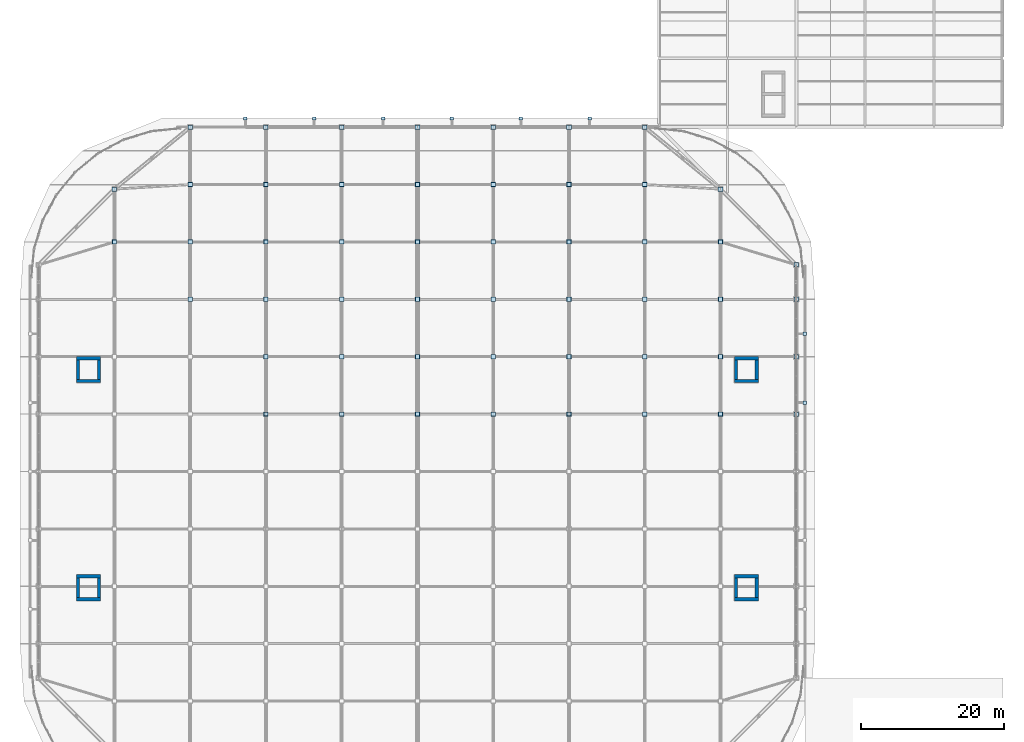
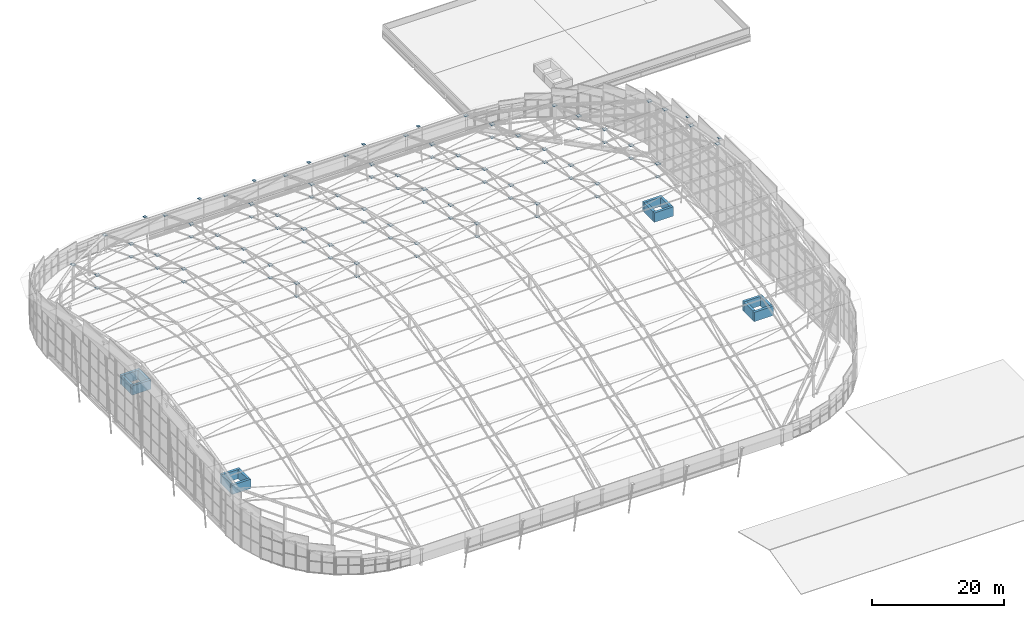
# One storey, part 40 of 42: 97 plates, 16 walls.
"""IFC4 building model written with IfcOpenShell, lengths in metres."""

from ifc_helpers import new_model, si_unit, direction, frame, frame_2d, origin, origin_2d, place, context, subcontext, project, spatial, rectangle, extrude, material, layer, layer_set, type_object, element, save


model = new_model("IFC4")

# Units and contexts
model_context = context("Model", 3, precision=1e-05, world=origin(), true_north=direction((0.0, 1.0)))
body_context = subcontext(model_context, "Body", "Model", "MODEL_VIEW")
ifc_project = project(units=[si_unit("LENGTHUNIT", "METRE"), si_unit("AREAUNIT", "SQUARE_METRE"), si_unit("VOLUMEUNIT", "CUBIC_METRE"), si_unit("PLANEANGLEUNIT", "RADIAN"), si_unit("MASSUNIT", "GRAM", prefix="KILO")], contexts=[model_context])

# Site, building, storey
site_placement = place(None, origin())
site = spatial("IfcSite", under=ifc_project, at=site_placement, CompositionType="ELEMENT")
building_placement = place(site_placement, origin())
building = spatial("IfcBuilding", under=site, at=building_placement, Name="Caelomonte Colonnade Arena", CompositionType="ELEMENT")
storey_placement = place(building_placement, frame((0.0, 0.0, 28.199951171875)))
storey = spatial("IfcBuildingStorey", under=building, at=storey_placement, Name="RF", CompositionType="ELEMENT", Elevation=28.199951171875)

# Plates
ifc_material_1 = material(Name="Steel ASTM A572 Grade 50", Category="steel")
ifc_layer_1 = layer(ifc_material_1, 0.02490234375)
ifc_layer_set_1 = layer_set([ifc_layer_1], Name="Steel ASTM A572 Grade 50")
plate_type_1 = type_object("IfcPlateType", Name="STR-PL-PN01", PredefinedType="USERDEFINED", material=ifc_layer_set_1)
for number, where, z_axis, x_axis, name in (
    (1, (164.39990234375, 76.800048828125, 13.66748046875), (0.0, 0.0, 1.0), (1.0, 0.0, 0.0), "Roof eaves overhang strut cap plate 8"),
    (2, (164.39990234375, 86.39990234375, 11.7724609375), (0.0, 0.0, 1.0), (1.0, 0.0, 0.0), "Roof eaves overhang strut cap plate 10"),
    (3, (86.39990234375, 116.39990234375, 2.337646484375), (0.0, 0.0, 1.0), (1.0, 0.0, 0.0), "Roof eaves overhang strut cap plate 12"),
    (4, (96.0, 116.39990234375, 2.337646484375), (0.0, 0.0, 1.0), (1.0, 0.0, 0.0), "Roof eaves overhang strut cap plate 14"),
    (5, (105.60009765625, 116.39990234375, 2.337646484375), (0.0, 0.0, 1.0), (1.0, 0.0, 0.0), "Roof eaves overhang strut cap plate 16"),
    (6, (115.199951171875, 116.39990234375, 2.337646484375), (0.0, 0.0, 1.0), (1.0, 0.0, 0.0), "Roof eaves overhang strut cap plate 18"),
    (7, (124.800048828125, 116.39990234375, 2.337646484375), (0.0, 0.0, 1.0), (1.0, 0.0, 0.0), "Roof eaves overhang strut cap plate 20"),
    (8, (134.39990234375, 116.39990234375, 2.337646484375), (0.0, 0.0, 1.0), (1.0, 0.0, 0.0), "Roof eaves overhang strut cap plate 22"),
):
    element("IfcPlate", number, at=place(storey_placement, frame(where, z_axis=z_axis, x_axis=x_axis)), inside=storey, type_object=plate_type_1, Name=name, ObjectType="GUSSET PLATE", PredefinedType="USERDEFINED", context=body_context, shape_type="SweptSolid", body=[
        extrude(rectangle(XDim=0.47998046875, YDim=0.47998046875, at=origin_2d()), origin(), (0.0, 0.0, 1.0), 0.02490234375),
    ])
ifc_layer_2 = layer(ifc_material_1, 0.034912109375)
ifc_layer_set_2 = layer_set([ifc_layer_2], Name="Steel ASTM A572 Grade 50")
plate_type_2 = type_object("IfcPlateType", Name="STR-PL-SN02", PredefinedType="USERDEFINED", material=ifc_layer_set_2)
for number, where, z_axis, x_axis, name in (
    (9, (68.159912109375, 99.199951171875, 8.318359375), (0.0, 0.0, 1.0), (1.0, 0.0, 0.0), "Space frame top node cap plate (1,10)"),
    (10, (68.159912109375, 106.56005859375, 5.8037109375), (0.0, 0.0, 1.0), (1.0, 0.0, 0.0), "Space frame top node cap plate (1,11)"),
    (11, (78.719970703125, 91.199951171875, 10.6357421875), (0.0, 0.0, 1.0), (1.0, 0.0, 0.0), "Space frame top node cap plate (2,9)"),
    (12, (78.719970703125, 99.199951171875, 8.318359375), (0.0, 0.0, 1.0), (1.0, 0.0, 0.0), "Space frame top node cap plate (2,10)"),
    (13, (78.719970703125, 107.199951171875, 5.5673828125), (0.0, 0.0, 1.0), (1.0, 0.0, 0.0), "Space frame top node cap plate (2,11)"),
    (14, (78.719970703125, 115.199951171875, 2.3828125), (0.0, 0.0, 1.0), (1.0, 0.0, 0.0), "Space frame top node cap plate (2,12)"),
    (15, (89.280029296875, 75.199951171875, 13.9677734375), (0.0, 0.0, 1.0), (1.0, 0.0, 0.0), "Space frame top node cap plate (3,7)"),
    (16, (89.280029296875, 83.199951171875, 12.5185546875), (0.0, 0.0, 1.0), (1.0, 0.0, 0.0), "Space frame top node cap plate (3,8)"),
    (17, (89.280029296875, 91.199951171875, 10.6357421875), (0.0, 0.0, 1.0), (1.0, 0.0, 0.0), "Space frame top node cap plate (3,9)"),
    (18, (89.280029296875, 99.199951171875, 8.318359375), (0.0, 0.0, 1.0), (1.0, 0.0, 0.0), "Space frame top node cap plate (3,10)"),
    (19, (89.280029296875, 107.199951171875, 5.5673828125), (0.0, 0.0, 1.0), (1.0, 0.0, 0.0), "Space frame top node cap plate (3,11)"),
    (20, (89.280029296875, 115.199951171875, 2.3828125), (0.0, 0.0, 1.0), (1.0, 0.0, 0.0), "Space frame top node cap plate (3,12)"),
    (21, (99.840087890625, 75.199951171875, 13.9677734375), (0.0, 0.0, 1.0), (1.0, 0.0, 0.0), "Space frame top node cap plate (4,7)"),
    (22, (99.840087890625, 83.199951171875, 12.5185546875), (0.0, 0.0, 1.0), (1.0, 0.0, 0.0), "Space frame top node cap plate (4,8)"),
    (23, (99.840087890625, 91.199951171875, 10.6357421875), (0.0, 0.0, 1.0), (1.0, 0.0, 0.0), "Space frame top node cap plate (4,9)"),
    (24, (99.840087890625, 99.199951171875, 8.318359375), (0.0, 0.0, 1.0), (1.0, 0.0, 0.0), "Space frame top node cap plate (4,10)"),
    (25, (99.840087890625, 107.199951171875, 5.5673828125), (0.0, 0.0, 1.0), (1.0, 0.0, 0.0), "Space frame top node cap plate (4,11)"),
    (26, (99.840087890625, 115.199951171875, 2.3828125), (0.0, 0.0, 1.0), (1.0, 0.0, 0.0), "Space frame top node cap plate (4,12)"),
    (27, (110.39990234375, 75.199951171875, 13.9677734375), (0.0, 0.0, 1.0), (1.0, 0.0, 0.0), "Space frame top node cap plate (5,7)"),
    (28, (110.39990234375, 83.199951171875, 12.5185546875), (0.0, 0.0, 1.0), (1.0, 0.0, 0.0), "Space frame top node cap plate (5,8)"),
    (29, (110.39990234375, 91.199951171875, 10.6357421875), (0.0, 0.0, 1.0), (1.0, 0.0, 0.0), "Space frame top node cap plate (5,9)"),
    (30, (110.39990234375, 99.199951171875, 8.318359375), (0.0, 0.0, 1.0), (1.0, 0.0, 0.0), "Space frame top node cap plate (5,10)"),
    (31, (110.39990234375, 107.199951171875, 5.5673828125), (0.0, 0.0, 1.0), (1.0, 0.0, 0.0), "Space frame top node cap plate (5,11)"),
    (32, (110.39990234375, 115.199951171875, 2.3828125), (0.0, 0.0, 1.0), (1.0, 0.0, 0.0), "Space frame top node cap plate (5,12)"),
    (33, (120.9599609375, 75.199951171875, 13.9677734375), (0.0, 0.0, 1.0), (1.0, 0.0, 0.0), "Space frame top node cap plate (6,7)"),
    (34, (120.9599609375, 83.199951171875, 12.5185546875), (0.0, 0.0, 1.0), (1.0, 0.0, 0.0), "Space frame top node cap plate (6,8)"),
    (35, (120.9599609375, 91.199951171875, 10.6357421875), (0.0, 0.0, 1.0), (1.0, 0.0, 0.0), "Space frame top node cap plate (6,9)"),
    (36, (120.9599609375, 99.199951171875, 8.318359375), (0.0, 0.0, 1.0), (1.0, 0.0, 0.0), "Space frame top node cap plate (6,10)"),
    (37, (120.9599609375, 107.199951171875, 5.5673828125), (0.0, 0.0, 1.0), (1.0, 0.0, 0.0), "Space frame top node cap plate (6,11)"),
    (38, (120.9599609375, 115.199951171875, 2.3828125), (0.0, 0.0, 1.0), (1.0, 0.0, 0.0), "Space frame top node cap plate (6,12)"),
    (39, (131.52001953125, 75.199951171875, 13.9677734375), (0.0, 0.0, 1.0), (1.0, 0.0, 0.0), "Space frame top node cap plate (7,7)"),
    (40, (131.52001953125, 83.199951171875, 12.5185546875), (0.0, 0.0, 1.0), (1.0, 0.0, 0.0), "Space frame top node cap plate (7,8)"),
    (41, (131.52001953125, 91.199951171875, 10.6357421875), (0.0, 0.0, 1.0), (1.0, 0.0, 0.0), "Space frame top node cap plate (7,9)"),
    (42, (131.52001953125, 99.199951171875, 8.318359375), (0.0, 0.0, 1.0), (1.0, 0.0, 0.0), "Space frame top node cap plate (7,10)"),
    (43, (131.52001953125, 107.199951171875, 5.5673828125), (0.0, 0.0, 1.0), (1.0, 0.0, 0.0), "Space frame top node cap plate (7,11)"),
    (44, (131.52001953125, 115.199951171875, 2.3828125), (0.0, 0.0, 1.0), (1.0, 0.0, 0.0), "Space frame top node cap plate (7,12)"),
    (45, (142.080078125, 75.199951171875, 13.9677734375), (0.0, 0.0, 1.0), (1.0, 0.0, 0.0), "Space frame top node cap plate (8,7)"),
    (46, (142.080078125, 83.199951171875, 12.5185546875), (0.0, 0.0, 1.0), (1.0, 0.0, 0.0), "Space frame top node cap plate (8,8)"),
    (47, (142.080078125, 91.199951171875, 10.6357421875), (0.0, 0.0, 1.0), (1.0, 0.0, 0.0), "Space frame top node cap plate (8,9)"),
    (48, (142.080078125, 99.199951171875, 8.318359375), (0.0, 0.0, 1.0), (1.0, 0.0, 0.0), "Space frame top node cap plate (8,10)"),
    (49, (142.080078125, 107.199951171875, 5.5673828125), (0.0, 0.0, 1.0), (1.0, 0.0, 0.0), "Space frame top node cap plate (8,11)"),
    (50, (142.080078125, 115.199951171875, 2.3828125), (0.0, 0.0, 1.0), (1.0, 0.0, 0.0), "Space frame top node cap plate (8,12)"),
    (51, (152.639892578125, 75.199951171875, 13.9677734375), (0.0, 0.0, 1.0), (1.0, 0.0, 0.0), "Space frame top node cap plate (9,7)"),
    (52, (152.639892578125, 83.199951171875, 12.5185546875), (0.0, 0.0, 1.0), (1.0, 0.0, 0.0), "Space frame top node cap plate (9,8)"),
    (53, (152.639892578125, 91.199951171875, 10.6357421875), (0.0, 0.0, 1.0), (1.0, 0.0, 0.0), "Space frame top node cap plate (9,9)"),
    (54, (152.639892578125, 99.199951171875, 8.318359375), (0.0, 0.0, 1.0), (1.0, 0.0, 0.0), "Space frame top node cap plate (9,10)"),
    (55, (152.639892578125, 106.56005859375, 5.8037109375), (0.0, 0.0, 1.0), (1.0, 0.0, 0.0), "Space frame top node cap plate (9,11)"),
    (56, (163.199951171875, 75.199951171875, 13.9677734375), (0.0, 0.0, 1.0), (1.0, 0.0, 0.0), "Space frame top node cap plate (10,7)"),
    (57, (163.199951171875, 83.199951171875, 12.5185546875), (0.0, 0.0, 1.0), (1.0, 0.0, 0.0), "Space frame top node cap plate (10,8)"),
    (58, (163.199951171875, 91.199951171875, 10.6357421875), (0.0, 0.0, 1.0), (1.0, 0.0, 0.0), "Space frame top node cap plate (10,9)"),
    (59, (163.199951171875, 96.0, 9.29736328125), (0.0, 0.0, 1.0), (1.0, 0.0, 0.0), "Space frame top node cap plate (10,10)"),
):
    element("IfcPlate", number, at=place(storey_placement, frame(where, z_axis=z_axis, x_axis=x_axis)), inside=storey, type_object=plate_type_2, Name=name, ObjectType="NODE CAP PLATE", PredefinedType="USERDEFINED", context=body_context, shape_type="SweptSolid", body=[
        extrude(rectangle(XDim=0.639892578125, YDim=0.639892578125, at=origin_2d()), origin(), (0.0, 0.0, 1.0), 0.034912109375),
    ])
ifc_layer_3 = layer(ifc_material_1, 0.030029296875)
ifc_layer_set_3 = layer_set([ifc_layer_3], Name="Steel ASTM A572 Grade 50")
plate_type_3 = type_object("IfcPlateType", Name="STR-PL-SN03", PredefinedType="USERDEFINED", material=ifc_layer_set_3)
for number, where, z_axis, x_axis, name in (
    (60, (68.159912109375, 99.199951171875, 5.9208984375), (0.0, 0.0, 1.0), (1.0, 0.0, 0.0), "Space frame bottom node cap plate (1,10)"),
    (61, (78.719970703125, 91.199951171875, 8.23779296875), (0.0, 0.0, 1.0), (1.0, 0.0, 0.0), "Space frame bottom node cap plate (2,9)"),
    (62, (78.719970703125, 99.199951171875, 5.9208984375), (0.0, 0.0, 1.0), (1.0, 0.0, 0.0), "Space frame bottom node cap plate (2,10)"),
    (63, (78.719970703125, 107.199951171875, 3.169921875), (0.0, 0.0, 1.0), (1.0, 0.0, 0.0), "Space frame bottom node cap plate (2,11)"),
    (64, (89.280029296875, 75.199951171875, 11.56982421875), (0.0, 0.0, 1.0), (1.0, 0.0, 0.0), "Space frame bottom node cap plate (3,7)"),
    (65, (89.280029296875, 83.199951171875, 10.12109375), (0.0, 0.0, 1.0), (1.0, 0.0, 0.0), "Space frame bottom node cap plate (3,8)"),
    (66, (89.280029296875, 91.199951171875, 8.23779296875), (0.0, 0.0, 1.0), (1.0, 0.0, 0.0), "Space frame bottom node cap plate (3,9)"),
    (67, (89.280029296875, 99.199951171875, 5.9208984375), (0.0, 0.0, 1.0), (1.0, 0.0, 0.0), "Space frame bottom node cap plate (3,10)"),
    (68, (89.280029296875, 107.199951171875, 3.169921875), (0.0, 0.0, 1.0), (1.0, 0.0, 0.0), "Space frame bottom node cap plate (3,11)"),
    (69, (99.840087890625, 75.199951171875, 11.56982421875), (0.0, 0.0, 1.0), (1.0, 0.0, 0.0), "Space frame bottom node cap plate (4,7)"),
    (70, (99.840087890625, 83.199951171875, 10.12109375), (0.0, 0.0, 1.0), (1.0, 0.0, 0.0), "Space frame bottom node cap plate (4,8)"),
    (71, (99.840087890625, 91.199951171875, 8.23779296875), (0.0, 0.0, 1.0), (1.0, 0.0, 0.0), "Space frame bottom node cap plate (4,9)"),
    (72, (99.840087890625, 99.199951171875, 5.9208984375), (0.0, 0.0, 1.0), (1.0, 0.0, 0.0), "Space frame bottom node cap plate (4,10)"),
    (73, (99.840087890625, 107.199951171875, 3.169921875), (0.0, 0.0, 1.0), (1.0, 0.0, 0.0), "Space frame bottom node cap plate (4,11)"),
    (74, (110.39990234375, 75.199951171875, 11.56982421875), (0.0, 0.0, 1.0), (1.0, 0.0, 0.0), "Space frame bottom node cap plate (5,7)"),
    (75, (110.39990234375, 83.199951171875, 10.12109375), (0.0, 0.0, 1.0), (1.0, 0.0, 0.0), "Space frame bottom node cap plate (5,8)"),
    (76, (110.39990234375, 91.199951171875, 8.23779296875), (0.0, 0.0, 1.0), (1.0, 0.0, 0.0), "Space frame bottom node cap plate (5,9)"),
    (77, (110.39990234375, 99.199951171875, 5.9208984375), (0.0, 0.0, 1.0), (1.0, 0.0, 0.0), "Space frame bottom node cap plate (5,10)"),
    (78, (110.39990234375, 107.199951171875, 3.169921875), (0.0, 0.0, 1.0), (1.0, 0.0, 0.0), "Space frame bottom node cap plate (5,11)"),
    (79, (120.9599609375, 75.199951171875, 11.56982421875), (0.0, 0.0, 1.0), (1.0, 0.0, 0.0), "Space frame bottom node cap plate (6,7)"),
    (80, (120.9599609375, 83.199951171875, 10.12109375), (0.0, 0.0, 1.0), (1.0, 0.0, 0.0), "Space frame bottom node cap plate (6,8)"),
    (81, (120.9599609375, 91.199951171875, 8.23779296875), (0.0, 0.0, 1.0), (1.0, 0.0, 0.0), "Space frame bottom node cap plate (6,9)"),
    (82, (120.9599609375, 99.199951171875, 5.9208984375), (0.0, 0.0, 1.0), (1.0, 0.0, 0.0), "Space frame bottom node cap plate (6,10)"),
    (83, (120.9599609375, 107.199951171875, 3.169921875), (0.0, 0.0, 1.0), (1.0, 0.0, 0.0), "Space frame bottom node cap plate (6,11)"),
    (84, (131.52001953125, 75.199951171875, 11.56982421875), (0.0, 0.0, 1.0), (1.0, 0.0, 0.0), "Space frame bottom node cap plate (7,7)"),
    (85, (131.52001953125, 83.199951171875, 10.12109375), (0.0, 0.0, 1.0), (1.0, 0.0, 0.0), "Space frame bottom node cap plate (7,8)"),
    (86, (131.52001953125, 91.199951171875, 8.23779296875), (0.0, 0.0, 1.0), (1.0, 0.0, 0.0), "Space frame bottom node cap plate (7,9)"),
    (87, (131.52001953125, 99.199951171875, 5.9208984375), (0.0, 0.0, 1.0), (1.0, 0.0, 0.0), "Space frame bottom node cap plate (7,10)"),
    (88, (131.52001953125, 107.199951171875, 3.169921875), (0.0, 0.0, 1.0), (1.0, 0.0, 0.0), "Space frame bottom node cap plate (7,11)"),
    (89, (142.080078125, 75.199951171875, 11.56982421875), (0.0, 0.0, 1.0), (1.0, 0.0, 0.0), "Space frame bottom node cap plate (8,7)"),
    (90, (142.080078125, 83.199951171875, 10.12109375), (0.0, 0.0, 1.0), (1.0, 0.0, 0.0), "Space frame bottom node cap plate (8,8)"),
    (91, (142.080078125, 91.199951171875, 8.23779296875), (0.0, 0.0, 1.0), (1.0, 0.0, 0.0), "Space frame bottom node cap plate (8,9)"),
    (92, (142.080078125, 99.199951171875, 5.9208984375), (0.0, 0.0, 1.0), (1.0, 0.0, 0.0), "Space frame bottom node cap plate (8,10)"),
    (93, (142.080078125, 107.199951171875, 3.169921875), (0.0, 0.0, 1.0), (1.0, 0.0, 0.0), "Space frame bottom node cap plate (8,11)"),
    (94, (152.639892578125, 75.199951171875, 11.56982421875), (0.0, 0.0, 1.0), (1.0, 0.0, 0.0), "Space frame bottom node cap plate (9,7)"),
    (95, (152.639892578125, 83.199951171875, 10.12109375), (0.0, 0.0, 1.0), (1.0, 0.0, 0.0), "Space frame bottom node cap plate (9,8)"),
    (96, (152.639892578125, 91.199951171875, 8.23779296875), (0.0, 0.0, 1.0), (1.0, 0.0, 0.0), "Space frame bottom node cap plate (9,9)"),
    (97, (152.639892578125, 99.199951171875, 5.9208984375), (0.0, 0.0, 1.0), (1.0, 0.0, 0.0), "Space frame bottom node cap plate (9,10)"),
):
    element("IfcPlate", number, at=place(storey_placement, frame(where, z_axis=z_axis, x_axis=x_axis)), inside=storey, type_object=plate_type_3, Name=name, ObjectType="NODE CAP PLATE", PredefinedType="USERDEFINED", context=body_context, shape_type="SweptSolid", body=[
        extrude(rectangle(XDim=0.580078125, YDim=0.580078125, at=origin_2d()), origin(), (0.0, 0.0, 1.0), 0.030029296875),
    ])

# Walls
ifc_material_2 = material(Name="Concrete C50/60", Category="concrete")
ifc_layer_4 = layer(ifc_material_2, 0.449951171875)
ifc_layer_set_4 = layer_set([ifc_layer_4], Name="Concrete C50/60")
wall_type = type_object("IfcWallType", Name="INT-WL-SH45", PredefinedType="SHEAR", material=ifc_layer_set_4)
for number, where, z_axis, x_axis, name in (
    (98, (62.875, 49.39990234375, -0.280029296875), (0.0, 0.0, 1.0), (1.0, 0.0, 0.0), "CW-C1-OVR RF south enclosure wall"),
    (99, (66.22509765625, 52.60009765625, -0.280029296875), (0.0, 0.0, 1.0), (-1.0, 0.0, 0.0), "CW-C1-OVR RF north enclosure wall"),
):
    element("IfcWall", number, at=place(storey_placement, frame(where, z_axis=z_axis, x_axis=x_axis)), inside=storey, type_object=wall_type, Name=name, PredefinedType="SHEAR", context=body_context, shape_type="SweptSolid", body=[
        extrude(rectangle(XDim=3.35009765625, YDim=0.449951171875, at=frame_2d((1.675048828125, 0.0))), origin(), (0.0, 0.0, 1.0), 1.72998046875),
    ])
for number, where, z_axis, x_axis, name in (
    (100, (63.10009765625, 52.375, -0.280029296875), (0.0, 0.0, 1.0), (0.0, -1.0, 0.0), "CW-C1-OVR RF west enclosure wall"),
    (101, (66.0, 49.625, -0.280029296875), (0.0, 0.0, 1.0), (0.0, 1.0, 0.0), "CW-C1-OVR RF east enclosure wall"),
):
    element("IfcWall", number, at=place(storey_placement, frame(where, z_axis=z_axis, x_axis=x_axis)), inside=storey, type_object=wall_type, Name=name, PredefinedType="SHEAR", context=body_context, shape_type="SweptSolid", body=[
        extrude(rectangle(XDim=2.75, YDim=0.449951171875, at=frame_2d((1.375, 0.0))), origin(), (0.0, 0.0, 1.0), 1.72998046875),
    ])
for number, where, z_axis, x_axis, name in (
    (102, (62.875, 79.800048828125, -0.280029296875), (0.0, 0.0, 1.0), (1.0, 0.0, 0.0), "CW-C4-OVR RF south enclosure wall"),
    (103, (66.22509765625, 83.0, -0.280029296875), (0.0, 0.0, 1.0), (-1.0, 0.0, 0.0), "CW-C4-OVR RF north enclosure wall"),
):
    element("IfcWall", number, at=place(storey_placement, frame(where, z_axis=z_axis, x_axis=x_axis)), inside=storey, type_object=wall_type, Name=name, PredefinedType="SHEAR", context=body_context, shape_type="SweptSolid", body=[
        extrude(rectangle(XDim=3.35009765625, YDim=0.449951171875, at=frame_2d((1.675048828125, 0.0))), origin(), (0.0, 0.0, 1.0), 1.72998046875),
    ])
for number, where, z_axis, x_axis, name in (
    (104, (63.10009765625, 82.77490234375, -0.280029296875), (0.0, 0.0, 1.0), (0.0, -1.0, 0.0), "CW-C4-OVR RF west enclosure wall"),
    (105, (66.0, 80.02490234375, -0.280029296875), (0.0, 0.0, 1.0), (0.0, 1.0, 0.0), "CW-C4-OVR RF east enclosure wall"),
):
    element("IfcWall", number, at=place(storey_placement, frame(where, z_axis=z_axis, x_axis=x_axis)), inside=storey, type_object=wall_type, Name=name, PredefinedType="SHEAR", context=body_context, shape_type="SweptSolid", body=[
        extrude(rectangle(XDim=2.75, YDim=0.449951171875, at=frame_2d((1.375, 0.0))), origin(), (0.0, 0.0, 1.0), 1.72998046875),
    ])
for number, where, z_axis, x_axis, name in (
    (106, (154.574951171875, 49.39990234375, -0.280029296875), (0.0, 0.0, 1.0), (1.0, 0.0, 0.0), "CW-C2-OVR RF south enclosure wall"),
    (107, (157.925048828125, 52.60009765625, -0.280029296875), (0.0, 0.0, 1.0), (-1.0, 0.0, 0.0), "CW-C2-OVR RF north enclosure wall"),
):
    element("IfcWall", number, at=place(storey_placement, frame(where, z_axis=z_axis, x_axis=x_axis)), inside=storey, type_object=wall_type, Name=name, PredefinedType="SHEAR", context=body_context, shape_type="SweptSolid", body=[
        extrude(rectangle(XDim=3.35009765625, YDim=0.449951171875, at=frame_2d((1.675048828125, 0.0))), origin(), (0.0, 0.0, 1.0), 1.72998046875),
    ])
for number, where, z_axis, x_axis, name in (
    (108, (154.800048828125, 52.375, -0.280029296875), (0.0, 0.0, 1.0), (0.0, -1.0, 0.0), "CW-C2-OVR RF west enclosure wall"),
    (109, (157.699951171875, 49.625, -0.280029296875), (0.0, 0.0, 1.0), (0.0, 1.0, 0.0), "CW-C2-OVR RF east enclosure wall"),
):
    element("IfcWall", number, at=place(storey_placement, frame(where, z_axis=z_axis, x_axis=x_axis)), inside=storey, type_object=wall_type, Name=name, PredefinedType="SHEAR", context=body_context, shape_type="SweptSolid", body=[
        extrude(rectangle(XDim=2.75, YDim=0.449951171875, at=frame_2d((1.375, 0.0))), origin(), (0.0, 0.0, 1.0), 1.72998046875),
    ])
for number, where, z_axis, x_axis, name in (
    (110, (154.574951171875, 79.800048828125, -0.280029296875), (0.0, 0.0, 1.0), (1.0, 0.0, 0.0), "CW-C3-OVR RF south enclosure wall"),
    (111, (157.925048828125, 83.0, -0.280029296875), (0.0, 0.0, 1.0), (-1.0, 0.0, 0.0), "CW-C3-OVR RF north enclosure wall"),
):
    element("IfcWall", number, at=place(storey_placement, frame(where, z_axis=z_axis, x_axis=x_axis)), inside=storey, type_object=wall_type, Name=name, PredefinedType="SHEAR", context=body_context, shape_type="SweptSolid", body=[
        extrude(rectangle(XDim=3.35009765625, YDim=0.449951171875, at=frame_2d((1.675048828125, 0.0))), origin(), (0.0, 0.0, 1.0), 1.72998046875),
    ])
for number, where, z_axis, x_axis, name in (
    (112, (154.800048828125, 82.77490234375, -0.280029296875), (0.0, 0.0, 1.0), (0.0, -1.0, 0.0), "CW-C3-OVR RF west enclosure wall"),
    (113, (157.699951171875, 80.02490234375, -0.280029296875), (0.0, 0.0, 1.0), (0.0, 1.0, 0.0), "CW-C3-OVR RF east enclosure wall"),
):
    element("IfcWall", number, at=place(storey_placement, frame(where, z_axis=z_axis, x_axis=x_axis)), inside=storey, type_object=wall_type, Name=name, PredefinedType="SHEAR", context=body_context, shape_type="SweptSolid", body=[
        extrude(rectangle(XDim=2.75, YDim=0.449951171875, at=frame_2d((1.375, 0.0))), origin(), (0.0, 0.0, 1.0), 1.72998046875),
    ])

save(model, "model.ifc")
